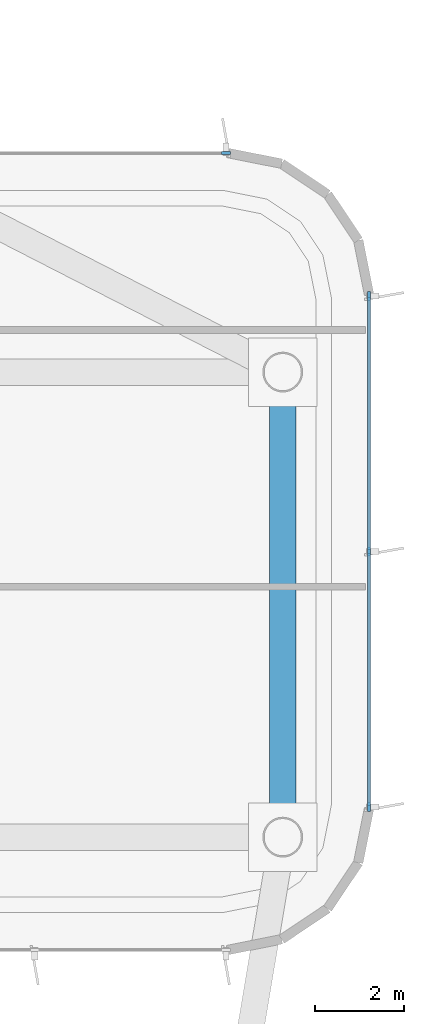
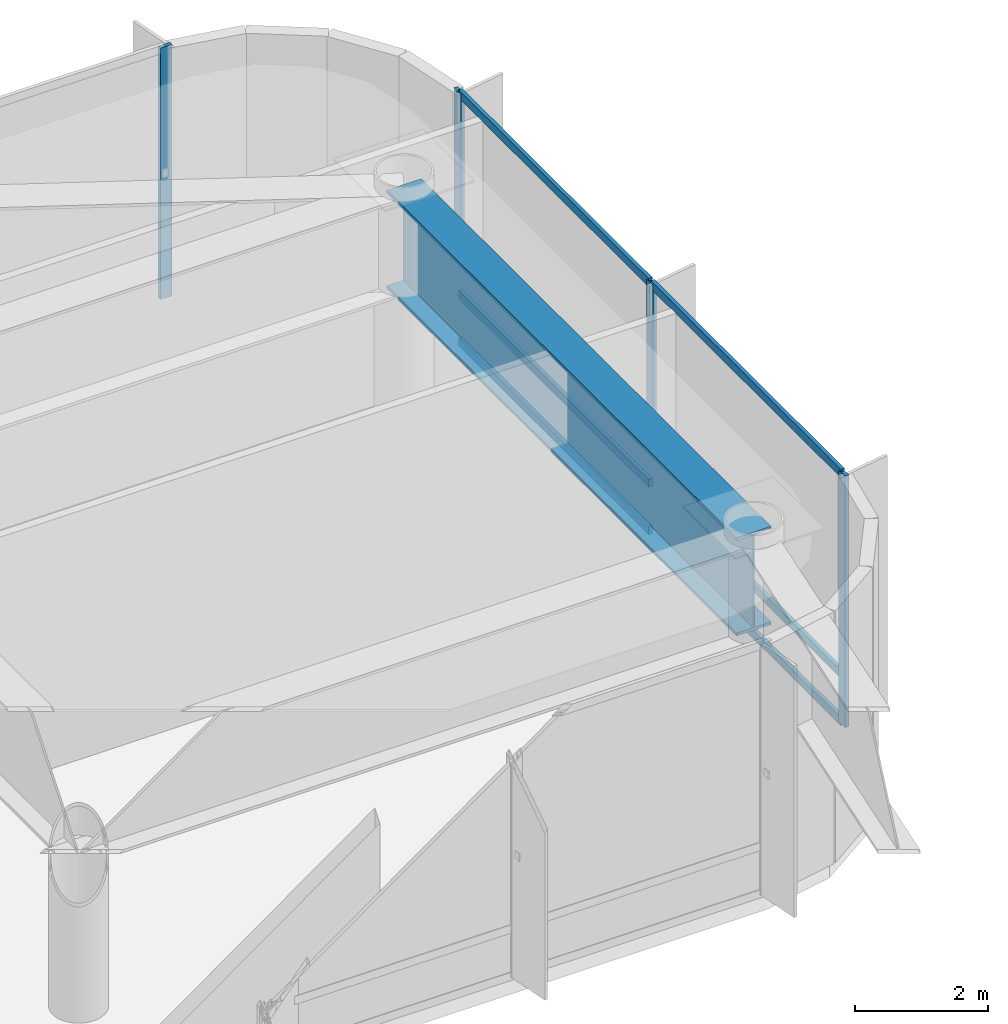
# One storey, part 7 of 13: 10 members, 1 beam, 2 elements without a shape of their own.
"""IFC4 building model written with IfcOpenShell, lengths in metres."""

import ifcopenshell
import ifcopenshell.guid

model = None  # the IFC model being written
_history = None  # IfcOwnerHistory: only IFC2X3 demands one
_inside = {}  # id of a spatial element -> (the spatial element, [elements in it])
_under = {}  # id of a project, library or spatial element -> (it, [spatial elements below it])
_declared = {}  # id of a project -> (the project, [libraries it declares])
_typed = {}  # id of a type object -> (the type object, [elements of that type])
_made_of = {}  # id of a material, layer set ... -> (it, [elements and type objects made of it])


def new_model(schema):
    """Start an empty IFC model of exactly this schema.

    Asked for "IFC4X3", IfcOpenShell would pick the latest addendum, in which some entities
    have other attributes; the version numbers below select the first issue.
    IFC2X3 requires an IfcOwnerHistory on every rooted entity: one is made here for all.
    """
    global model, _history
    if schema == "IFC4X3":
        model = ifcopenshell.file(schema_version=(4, 3, 0, 0))
    else:
        model = ifcopenshell.file(schema=schema)
    _inside.clear()
    _under.clear()
    _declared.clear()
    _typed.clear()
    _made_of.clear()
    _history = None
    if model.schema == "IFC2X3":
        org = make("IfcOrganization", Name="unknown")
        user = make(
            "IfcPersonAndOrganization",
            ThePerson=make("IfcPerson", FamilyName="unknown"),
            TheOrganization=org,
        )
        app = make(
            "IfcApplication",
            ApplicationDeveloper=org,
            Version="unknown",
            ApplicationFullName="unknown",
            ApplicationIdentifier="unknown",
        )
        _history = make(
            "IfcOwnerHistory",
            OwningUser=user,
            OwningApplication=app,
            ChangeAction="ADDED",
            CreationDate=0,
        )
    return model


def make(cls, **values):
    """One entity of the class cls with the attributes given. An attribute that is None is left unset."""
    return model.create_entity(
        cls, **{name: value for name, value in values.items() if value is not None}
    )


def rooted(cls, **values):
    """An entity with a GlobalId (a new one), such as an element, a storey or a relation."""
    return make(cls, GlobalId=ifcopenshell.guid.new(), OwnerHistory=_history, **values)


def si_unit(unit_type, name, prefix=None):
    """IfcSIUnit, for example si_unit("LENGTHUNIT", "METRE", prefix="MILLI")."""
    return make("IfcSIUnit", UnitType=unit_type, Prefix=prefix, Name=name)


def assignment(units):
    """IfcUnitAssignment: the units of a project."""
    return None if units is None else make("IfcUnitAssignment", Units=units)


def point(xyz):
    """IfcCartesianPoint."""
    return None if xyz is None else make("IfcCartesianPoint", Coordinates=xyz)


def direction(xyz):
    """IfcDirection."""
    return None if xyz is None else make("IfcDirection", DirectionRatios=xyz)


def frame(location, z_axis=None, x_axis=None):
    """IfcAxis2Placement3D, a coordinate frame: its origin and axes. An axis left out is left unset."""
    return make(
        "IfcAxis2Placement3D",
        Location=point(location),
        Axis=direction(z_axis),
        RefDirection=direction(x_axis),
    )


def frame_2d(location, x_axis=None):
    """IfcAxis2Placement2D, a coordinate frame in the plane: its origin and x axis."""
    return make(
        "IfcAxis2Placement2D", Location=point(location), RefDirection=direction(x_axis)
    )


def origin():
    """The frame at (0, 0, 0) with its axes left unset."""
    return frame((0.0, 0.0, 0.0))


def origin_2d():
    """The frame at (0, 0) in the plane with its x axis left unset."""
    return frame_2d((0.0, 0.0))


def place(relative_to, where):
    """IfcLocalPlacement: puts the frame where relative to a parent placement (None: the world)."""
    return make(
        "IfcLocalPlacement", PlacementRelTo=relative_to, RelativePlacement=where
    )


def context(
    kind, dimensions, precision=None, world=None, true_north=None, identifier=None
):
    """IfcGeometricRepresentationContext, for example the 3D "Model" context."""
    return make(
        "IfcGeometricRepresentationContext",
        ContextIdentifier=identifier,
        ContextType=kind,
        CoordinateSpaceDimension=dimensions,
        Precision=precision,
        WorldCoordinateSystem=world,
        TrueNorth=true_north,
    )


def subcontext(parent, identifier, kind, view, scale=None):
    """IfcGeometricRepresentationSubContext, for example "Body" below "Model"."""
    return make(
        "IfcGeometricRepresentationSubContext",
        ContextIdentifier=identifier,
        ContextType=kind,
        ParentContext=parent,
        TargetScale=scale,
        TargetView=view,
    )


def project(units=None, contexts=None):
    """IfcProject with its units and contexts."""
    return rooted(
        "IfcProject",
        Name="project",
        RepresentationContexts=contexts,
        UnitsInContext=assignment(units),
    )


def spatial(cls, under=None, at=None, **own):
    """A site, building, storey or space (cls), placed at a placement, below another one or the project."""
    s = rooted(cls, ObjectPlacement=at, **own)
    if under is not None:
        _under.setdefault(under.id(), (under, []))[1].append(s)
    return s


def profile(cls, at=None, kind="AREA", **sizes):
    """A parametric profile (cls). Its sizes go by their IFC names, for example OverallWidth=200.0."""
    return make(cls, ProfileType=kind, Position=at, **sizes)


def rectangle(**sizes):
    """IfcRectangleProfileDef."""
    return profile("IfcRectangleProfileDef", **sizes)


def i_section(**sizes):
    """IfcIShapeProfileDef."""
    return profile("IfcIShapeProfileDef", **sizes)


def extrude(swept, where, along, depth):
    """IfcExtrudedAreaSolid: the profile swept, set in the frame where, extruded along a direction by depth."""
    return make(
        "IfcExtrudedAreaSolid",
        SweptArea=swept,
        Position=where,
        ExtrudedDirection=direction(along),
        Depth=depth,
    )


def shape(context_of_items, identifier, shape_type, items):
    """IfcShapeRepresentation: the items that make up one representation, for example the "Body"."""
    return make(
        "IfcShapeRepresentation",
        ContextOfItems=context_of_items,
        RepresentationIdentifier=identifier,
        RepresentationType=shape_type,
        Items=items,
    )


def source(mapping_origin, context_of_items, identifier, shape_type, items):
    """IfcRepresentationMap: a shape defined once, which mapped items show again and again."""
    return make(
        "IfcRepresentationMap",
        MappingOrigin=mapping_origin,
        MappedRepresentation=shape(context_of_items, identifier, shape_type, items),
    )


def transform(
    local_origin,
    x_axis=None,
    y_axis=None,
    z_axis=None,
    scale=None,
    scale2=None,
    scale3=None,
    uniform=True,
):
    """IfcCartesianTransformationOperator3D, or its non-uniform kind. x_axis, y_axis, z_axis: its Axis1, 2, 3."""
    if uniform:
        return make(
            "IfcCartesianTransformationOperator3D",
            Axis1=direction(x_axis),
            Axis2=direction(y_axis),
            LocalOrigin=point(local_origin),
            Scale=scale,
            Axis3=direction(z_axis),
        )
    return make(
        "IfcCartesianTransformationOperator3DnonUniform",
        Axis1=direction(x_axis),
        Axis2=direction(y_axis),
        LocalOrigin=point(local_origin),
        Scale=scale,
        Axis3=direction(z_axis),
        Scale2=scale2,
        Scale3=scale3,
    )


def mapped(mapping_source, mapping_target):
    """IfcMappedItem: shows the shape of a source again, moved by a transform."""
    return make(
        "IfcMappedItem", MappingSource=mapping_source, MappingTarget=mapping_target
    )


def material(Name=None, Category=None):
    """IfcMaterial."""
    return make("IfcMaterial", Name=Name, Category=Category)


def layer(
    of_material, thickness, ventilated=None, Name=None, Category=None, Priority=None
):
    """IfcMaterialLayer: one layer of a wall or slab, of a material (None: an air gap)."""
    return make(
        "IfcMaterialLayer",
        Material=of_material,
        LayerThickness=thickness,
        IsVentilated=ventilated,
        Name=Name,
        Category=Category,
        Priority=Priority,
    )


def layer_set(layers, Name=None):
    """IfcMaterialLayerSet."""
    return make("IfcMaterialLayerSet", MaterialLayers=layers, LayerSetName=Name)


def material_profile(
    of_material, cross_section, Name=None, Category=None, Priority=None
):
    """IfcMaterialProfile: a cross section and its material."""
    return make(
        "IfcMaterialProfile",
        Name=Name,
        Material=of_material,
        Profile=cross_section,
        Priority=Priority,
        Category=Category,
    )


def profile_set(profiles, Name=None, composite=None):
    """IfcMaterialProfileSet."""
    return make(
        "IfcMaterialProfileSet",
        Name=Name,
        MaterialProfiles=profiles,
        CompositeProfile=composite,
    )


def made_of(thing, what):
    """Note that an element or type object is made of a material, layer set ...; save() writes the relation."""
    if what is not None:
        _made_of.setdefault(what.id(), (what, []))[1].append(thing)
    return thing


def type_object(cls, material=None, **own):
    """A type object (cls), such as IfcWallType, which elements share."""
    return made_of(rooted(cls, **own), material)


def element(
    cls,
    number,
    at=None,
    inside=None,
    cuts=None,
    type_object=None,
    material=None,
    context=None,
    identifier="Body",
    shape_type=None,
    held_by="IfcProductDefinitionShape",
    body=None,
    shapes=None,
    **own,
):
    """One element of the class cls, such as IfcWall. Its Tag is "e" and its number.

    at: its placement. inside: the storey or other place that contains it. cuts: it is an
    opening in that element (IfcRelVoidsElement). A single representation is given by context,
    identifier, shape_type and body (its items); several are given by shapes. held_by: the class
    of the entity that holds the representations. save() writes the other relations.
    """
    e = rooted(cls, Tag="e%d" % number, ObjectPlacement=at, **own)
    if body is not None:
        shapes = [shape(context, identifier, shape_type, body)]
    if shapes is not None:
        e.Representation = make(held_by, Representations=shapes)
    if inside is not None:
        _inside.setdefault(inside.id(), (inside, []))[1].append(e)
    if cuts is not None:
        rooted(
            "IfcRelVoidsElement", RelatingBuildingElement=cuts, RelatedOpeningElement=e
        )
    if type_object is not None:
        _typed.setdefault(type_object.id(), (type_object, []))[1].append(e)
    return made_of(e, material)


def aggregate(whole, parts):
    """IfcRelAggregates: a whole, such as a stair, and the parts it consists of."""
    return rooted("IfcRelAggregates", RelatingObject=whole, RelatedObjects=parts)


def save(model, path):
    """Write the relations noted so far, then the file.

    IfcRelAggregates (storeys below a building ...), IfcRelContainedInSpatialStructure (elements
    in a storey), IfcRelDefinesByType, IfcRelAssociatesMaterial and IfcRelDeclares: one each for
    every whole, place, type object, material and project.
    """
    for whole, parts in _under.values():
        aggregate(whole, parts)
    for where, things in _inside.values():
        rooted(
            "IfcRelContainedInSpatialStructure",
            RelatedElements=things,
            RelatingStructure=where,
        )
    for kind, things in _typed.values():
        rooted("IfcRelDefinesByType", RelatedObjects=things, RelatingType=kind)
    for what, things in _made_of.values():
        rooted("IfcRelAssociatesMaterial", RelatedObjects=things, RelatingMaterial=what)
    for by, libraries in _declared.values():
        rooted("IfcRelDeclares", RelatingContext=by, RelatedDefinitions=libraries)
    model.write(path)


model = new_model("IFC4")

# Units and contexts
model_context = context("Model", 3, precision=1e-05, world=origin(), true_north=direction((0.0, 1.0)))
body_context = subcontext(model_context, "Body", "Model", "MODEL_VIEW")
ifc_project = project(units=[si_unit("LENGTHUNIT", "METRE"), si_unit("AREAUNIT", "SQUARE_METRE"), si_unit("VOLUMEUNIT", "CUBIC_METRE"), si_unit("PLANEANGLEUNIT", "RADIAN"), si_unit("MASSUNIT", "GRAM", prefix="KILO")], contexts=[model_context])

# Site, building, storey
site_placement = place(None, origin())
site = spatial("IfcSite", under=ifc_project, at=site_placement, CompositionType="ELEMENT")
building_placement = place(site_placement, origin())
building = spatial("IfcBuilding", under=site, at=building_placement, Name="Brelvock Crest Care Tower", CompositionType="ELEMENT")
storey_placement = place(building_placement, frame((0.0, 0.0, 291.06005859375)))
storey = spatial("IfcBuildingStorey", under=building, at=storey_placement, Name="L74", CompositionType="ELEMENT", Elevation=291.06005859375)

# Beam
ifc_material_1 = material(Name="Steel Grade 350", Category="steel")
ifc_material_profile_1 = material_profile(ifc_material_1, i_section(OverallWidth=0.60009765625, OverallDepth=1.800048828125, WebThickness=0.028076171875, FlangeThickness=0.052001953125, at=origin_2d()), Name="1800TG740")
ifc_profile_set_1 = profile_set([ifc_material_profile_1], Name="Steel Grade 350")
beam_type = type_object("IfcBeamType", Name="BM-TG1", PredefinedType="USERDEFINED", material=ifc_profile_set_1)
shared_shape_1 = source(origin(), body_context, "Body", "SweptSolid", [
    extrude(i_section(OverallWidth=0.60009765625, OverallDepth=1.800048828125, WebThickness=0.028076171875, FlangeThickness=0.052001953125, at=origin_2d()), origin(), (0.0, 0.0, 1.0), 10.5),
])
beam_placement = place(storey_placement, frame((52.35009765625, 43.949951171875, 3.7099609375), z_axis=(0.0, 1.0, 0.0), x_axis=(-1.0, 0.0, 0.0)))
element("IfcBeam", 1, at=beam_placement, inside=storey, type_object=beam_type, Name="BM-TWR-L74-02", ObjectType="GIRDER", PredefinedType="USERDEFINED", context=body_context, shape_type="MappedRepresentation", body=[
    mapped(shared_shape_1, transform((0.0, 0.0, 0.0), x_axis=(1.0, 0.0, 0.0), y_axis=(0.0, 1.0, 0.0), z_axis=(0.0, 0.0, 1.0), scale=1.0)),
])

# Curtain wall, members
ifc_material_2 = material(Name="Dark Glass Double Glazed Low-E", Category="glass")
ifc_layer = layer(ifc_material_2, 0.2548828125, Name="CWS-6")
ifc_layer_set = layer_set([ifc_layer], Name="Dark Glass Double Glazed Low-E")
curtain_wall_type = type_object("IfcCurtainWallType", Name="CWS-6", PredefinedType="NOTDEFINED", material=ifc_layer_set)
curtain_wall_1_placement = place(storey_placement, origin())
curtain_wall_1 = element("IfcCurtainWall", 2, at=curtain_wall_1_placement, inside=storey, type_object=curtain_wall_type, Name="L74 Curtain Wall E04", PredefinedType="NOTDEFINED")
ifc_material_3 = material(Name="Aluminium 6063-T6", Category="aluminium")
ifc_material_profile_2 = material_profile(ifc_material_3, rectangle(XDim=0.06494140625, YDim=0.14990234375, at=origin_2d()), Name="ALU65x150")
ifc_profile_set_2 = profile_set([ifc_material_profile_2], Name="Aluminium 6063-T6")
member_type_1 = type_object("IfcMemberType", Name="CWT-1", PredefinedType="USERDEFINED", material=ifc_profile_set_2)
shared_shape_2 = source(origin(), body_context, "Body", "SweptSolid", [
    extrude(rectangle(XDim=0.06494140625, YDim=0.14990234375, at=origin_2d()), origin(), (0.0, 0.0, 1.0), 5.702392578125),
])
member_1_placement = place(storey_placement, frame((54.300048828125, 56.135009765625, 0.032470703125), z_axis=(0.0, -1.0, 0.0), x_axis=(1.0, 0.0, 0.0)))
member_1 = element("IfcMember", 3, at=member_1_placement, type_object=member_type_1, Name="CW-6 transom 1.1", ObjectType="TRANSOM", PredefinedType="USERDEFINED", context=body_context, shape_type="MappedRepresentation", body=[
    mapped(shared_shape_2, transform((0.0, 0.0, 0.0), x_axis=(1.0, 0.0, 0.0), y_axis=(0.0, 1.0, 0.0), z_axis=(0.0, 0.0, 1.0), scale=1.0)),
])
member_2_placement = place(storey_placement, frame((54.300048828125, 56.135009765625, 0.89990234375), z_axis=(0.0, -1.0, 0.0), x_axis=(1.0, 0.0, 0.0)))
member_2 = element("IfcMember", 4, at=member_2_placement, type_object=member_type_1, Name="CW-6 transom 1.2", ObjectType="TRANSOM", PredefinedType="USERDEFINED", context=body_context, shape_type="MappedRepresentation", body=[
    mapped(shared_shape_2, transform((0.0, 0.0, 0.0), x_axis=(1.0, 0.0, 0.0), y_axis=(0.0, 1.0, 0.0), z_axis=(0.0, 0.0, 1.0), scale=1.0)),
])
member_3_placement = place(storey_placement, frame((54.300048828125, 56.135009765625, 4.577392578125), z_axis=(0.0, -1.0, 0.0), x_axis=(1.0, 0.0, 0.0)))
member_3 = element("IfcMember", 5, at=member_3_placement, type_object=member_type_1, Name="CW-6 transom 1.3", ObjectType="TRANSOM", PredefinedType="USERDEFINED", context=body_context, shape_type="MappedRepresentation", body=[
    mapped(shared_shape_2, transform((0.0, 0.0, 0.0), x_axis=(1.0, 0.0, 0.0), y_axis=(0.0, 1.0, 0.0), z_axis=(0.0, 0.0, 1.0), scale=1.0)),
])
member_4_placement = place(storey_placement, frame((54.300048828125, 50.367431640625, 0.032470703125), z_axis=(0.0, -1.0, 0.0), x_axis=(1.0, 0.0, 0.0)))
member_4 = element("IfcMember", 6, at=member_4_placement, type_object=member_type_1, Name="CW-6 transom 2.1", ObjectType="TRANSOM", PredefinedType="USERDEFINED", context=body_context, shape_type="MappedRepresentation", body=[
    mapped(shared_shape_2, transform((0.0, 0.0, 0.0), x_axis=(1.0, 0.0, 0.0), y_axis=(0.0, 1.0, 0.0), z_axis=(0.0, 0.0, 1.0), scale=1.0)),
])
member_5_placement = place(storey_placement, frame((54.300048828125, 50.367431640625, 0.89990234375), z_axis=(0.0, -1.0, 0.0), x_axis=(1.0, 0.0, 0.0)))
member_5 = element("IfcMember", 7, at=member_5_placement, type_object=member_type_1, Name="CW-6 transom 2.2", ObjectType="TRANSOM", PredefinedType="USERDEFINED", context=body_context, shape_type="MappedRepresentation", body=[
    mapped(shared_shape_2, transform((0.0, 0.0, 0.0), x_axis=(1.0, 0.0, 0.0), y_axis=(0.0, 1.0, 0.0), z_axis=(0.0, 0.0, 1.0), scale=1.0)),
])
member_6_placement = place(storey_placement, frame((54.300048828125, 50.367431640625, 4.577392578125), z_axis=(0.0, -1.0, 0.0), x_axis=(1.0, 0.0, 0.0)))
member_6 = element("IfcMember", 8, at=member_6_placement, type_object=member_type_1, Name="CW-6 transom 2.3", ObjectType="TRANSOM", PredefinedType="USERDEFINED", context=body_context, shape_type="MappedRepresentation", body=[
    mapped(shared_shape_2, transform((0.0, 0.0, 0.0), x_axis=(1.0, 0.0, 0.0), y_axis=(0.0, 1.0, 0.0), z_axis=(0.0, 0.0, 1.0), scale=1.0)),
])
ifc_material_profile_3 = material_profile(ifc_material_3, rectangle(XDim=0.06494140625, YDim=0.199951171875, at=origin_2d()), Name="ALU65x200")
ifc_profile_set_3 = profile_set([ifc_material_profile_3], Name="Aluminium 6063-T6")
member_type_2 = type_object("IfcMemberType", Name="CWM-1", PredefinedType="MULLION", material=ifc_profile_set_3)
shared_shape_3 = source(origin(), body_context, "Body", "SweptSolid", [
    extrude(rectangle(XDim=0.06494140625, YDim=0.199951171875, at=origin_2d()), origin(), (0.0, 0.0, 1.0), 4.60986328125),
])
member_7_placement = place(storey_placement, frame((54.300048828125, 56.16748046875, 0.0), z_axis=(0.0, 0.0, 1.0), x_axis=(1.0, 0.0, 0.0)))
member_7 = element("IfcMember", 9, at=member_7_placement, type_object=member_type_2, Name="CW-6 mullion 1", PredefinedType="MULLION", context=body_context, shape_type="MappedRepresentation", body=[
    mapped(shared_shape_3, transform((0.0, 0.0, 0.0), x_axis=(1.0, 0.0, 0.0), y_axis=(0.0, 1.0, 0.0), z_axis=(0.0, 0.0, 1.0), scale=1.0)),
])
member_8_placement = place(storey_placement, frame((54.300048828125, 50.39990234375, 0.0), z_axis=(0.0, 0.0, 1.0), x_axis=(1.0, 0.0, 0.0)))
member_8 = element("IfcMember", 10, at=member_8_placement, type_object=member_type_2, Name="CW-6 mullion 2", PredefinedType="MULLION", context=body_context, shape_type="MappedRepresentation", body=[
    mapped(shared_shape_3, transform((0.0, 0.0, 0.0), x_axis=(1.0, 0.0, 0.0), y_axis=(0.0, 1.0, 0.0), z_axis=(0.0, 0.0, 1.0), scale=1.0)),
])
member_9_placement = place(storey_placement, frame((54.300048828125, 44.632568359375, 0.0), z_axis=(0.0, 0.0, 1.0), x_axis=(1.0, 0.0, 0.0)))
member_9 = element("IfcMember", 11, at=member_9_placement, type_object=member_type_2, Name="CW-6 mullion 3", PredefinedType="MULLION", context=body_context, shape_type="MappedRepresentation", body=[
    mapped(shared_shape_3, transform((0.0, 0.0, 0.0), x_axis=(1.0, 0.0, 0.0), y_axis=(0.0, 1.0, 0.0), z_axis=(0.0, 0.0, 1.0), scale=1.0)),
])
aggregate(curtain_wall_1, [member_7, member_8, member_9, member_1, member_2, member_3, member_4, member_5, member_6])

# Curtain wall, member
curtain_wall_2_placement = place(storey_placement, origin())
curtain_wall_2 = element("IfcCurtainWall", 12, at=curtain_wall_2_placement, inside=storey, type_object=curtain_wall_type, Name="L74 Curtain Wall E39", PredefinedType="NOTDEFINED")
member_10_placement = place(storey_placement, frame((51.0673828125, 59.39990234375, 0.0), z_axis=(0.0, 0.0, 1.0), x_axis=(0.0, 1.0, 0.0)))
member_10 = element("IfcMember", 13, at=member_10_placement, type_object=member_type_2, Name="CW-6 mullion 2", PredefinedType="MULLION", context=body_context, shape_type="MappedRepresentation", body=[
    mapped(shared_shape_3, transform((0.0, 0.0, 0.0), x_axis=(1.0, 0.0, 0.0), y_axis=(0.0, 1.0, 0.0), z_axis=(0.0, 0.0, 1.0), scale=1.0)),
])
aggregate(curtain_wall_2, [member_10])

save(model, "model.ifc")
